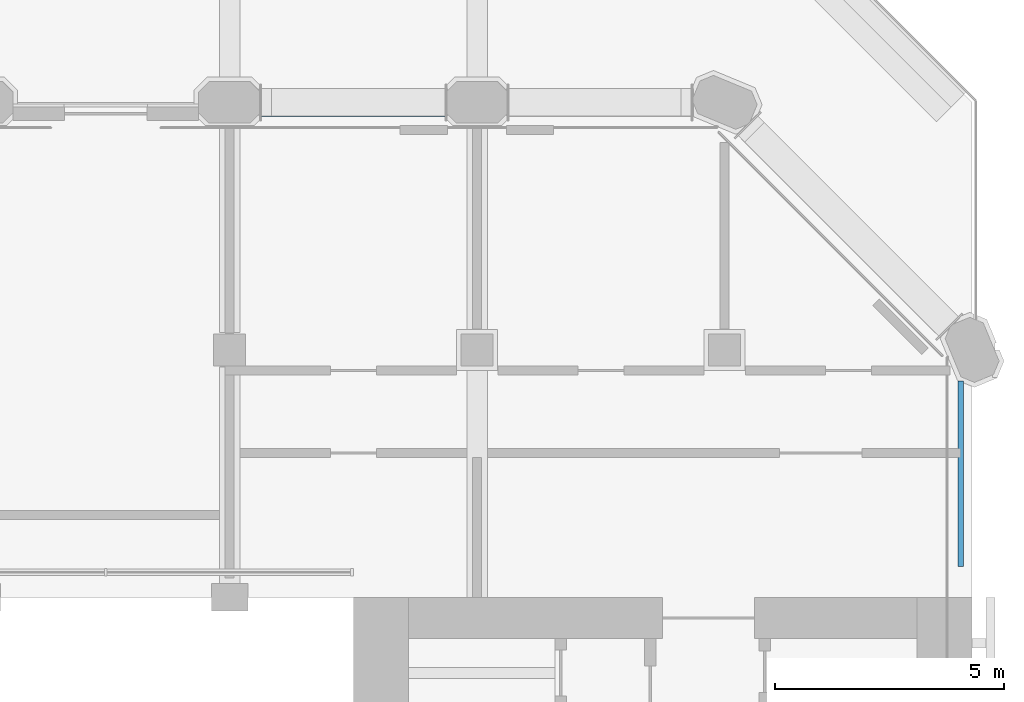
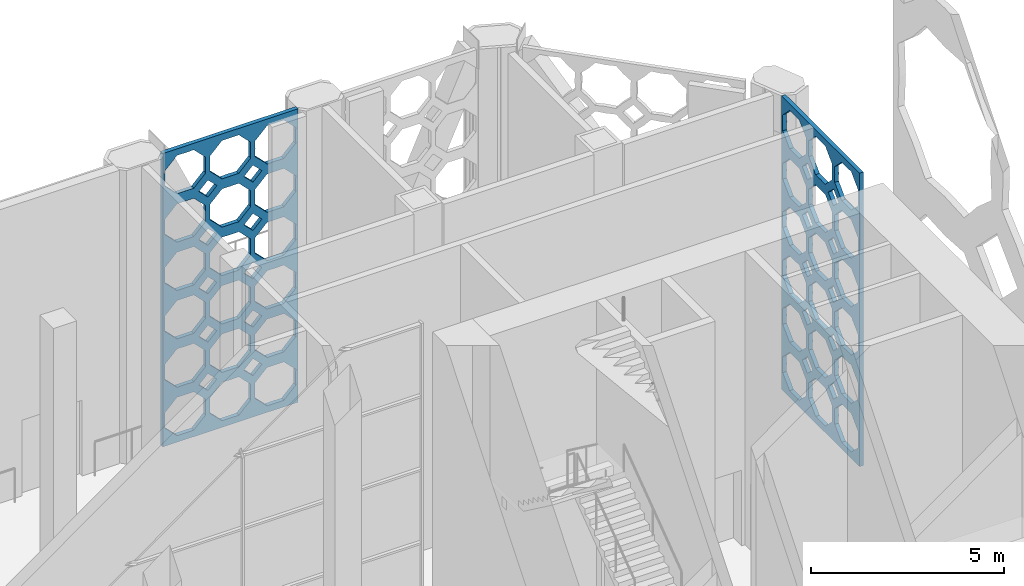
# One storey, part 8 of 28: 2 plates.
"""IFC4 building model written with IfcOpenShell, lengths in metres."""

from ifc_helpers import new_model, si_unit, direction, frame, origin, place, context, subcontext, project, spatial, polyline, outline, extrude, material, layer, layer_set, type_object, element, save


model = new_model("IFC4")

# Units and contexts
model_context = context("Model", 3, precision=1e-05, world=origin(), true_north=direction((0.0, 1.0)))
body_context = subcontext(model_context, "Body", "Model", "MODEL_VIEW")
ifc_project = project(units=[si_unit("LENGTHUNIT", "METRE"), si_unit("AREAUNIT", "SQUARE_METRE"), si_unit("VOLUMEUNIT", "CUBIC_METRE"), si_unit("PLANEANGLEUNIT", "RADIAN"), si_unit("MASSUNIT", "GRAM", prefix="KILO")], contexts=[model_context])

# Site, building, storey
site_placement = place(None, origin())
site = spatial("IfcSite", under=ifc_project, at=site_placement, CompositionType="ELEMENT")
building_placement = place(site_placement, origin())
building = spatial("IfcBuilding", under=site, at=building_placement, Name="Tabaq Tower and Sports Hall", CompositionType="ELEMENT")
storey_placement = place(building_placement, frame((0.0, 0.0, 233.5)))
storey = spatial("IfcBuildingStorey", under=building, at=storey_placement, Name="L59", CompositionType="ELEMENT", Elevation=233.5)

# Plates
ifc_material = material(Name="White precast concrete C60/75 pierced screen", Category="concrete")
ifc_layer = layer(ifc_material, 0.1201171875)
ifc_layer_set = layer_set([ifc_layer], Name="White precast concrete C60/75 screen 120")
plate_type = type_object("IfcPlateType", Name="White precast concrete C60/75 screen 120", PredefinedType="USERDEFINED", material=ifc_layer_set)
plate_1_placement = place(storey_placement, frame((42.949951171875, 33.074951171875, 0.0), z_axis=(0.0, 0.0, 1.0), x_axis=(0.0, 1.0, 0.0)))
element("IfcPlate", 1, at=plate_1_placement, inside=storey, type_object=plate_type, Name="Pierced screen L59 E", ObjectType="SCREEN", PredefinedType="USERDEFINED", context=body_context, shape_type="SweptSolid", body=[
    extrude(outline(polyline([(0.0, 0.0), (4.050048828125, 0.0), (4.050048828125, 9.300048828125), (0.0, 9.300048828125), (0.0, 0.0)]), holes=[polyline([(1.28369140625, 1.06884765625), (1.103515625, 1.245361328125), (0.927001953125, 1.42529296875), (0.675048828125, 1.4228515625), (0.4228515625, 1.42529296875), (0.246337890625, 1.245361328125), (0.06640625, 1.06884765625), (0.06884765625, 0.816650390625), (0.06640625, 0.564453125), (0.246337890625, 0.38818359375), (0.4228515625, 0.2080078125), (0.675048828125, 0.21044921875), (0.927001953125, 0.2080078125), (1.103515625, 0.38818359375), (1.28369140625, 0.564453125), (1.281005859375, 0.816650390625), (1.28369140625, 1.06884765625)]), polyline([(1.28369140625, 2.60205078125), (1.103515625, 2.778564453125), (0.927001953125, 2.958740234375), (0.675048828125, 2.9560546875), (0.4228515625, 2.958740234375), (0.246337890625, 2.778564453125), (0.06640625, 2.60205078125), (0.06884765625, 2.35009765625), (0.06640625, 2.097900390625), (0.246337890625, 1.92138671875), (0.4228515625, 1.741455078125), (0.675048828125, 1.743896484375), (0.927001953125, 1.741455078125), (1.103515625, 1.92138671875), (1.28369140625, 2.097900390625), (1.281005859375, 2.35009765625), (1.28369140625, 2.60205078125)]), polyline([(1.28369140625, 4.135498046875), (1.103515625, 4.31201171875), (0.927001953125, 4.491943359375), (0.675048828125, 4.489501953125), (0.4228515625, 4.491943359375), (0.246337890625, 4.31201171875), (0.06640625, 4.135498046875), (0.06884765625, 3.88330078125), (0.06640625, 3.631103515625), (0.246337890625, 3.454833984375), (0.4228515625, 3.274658203125), (0.675048828125, 3.27734375), (0.927001953125, 3.274658203125), (1.103515625, 3.454833984375), (1.28369140625, 3.631103515625), (1.281005859375, 3.88330078125), (1.28369140625, 4.135498046875)]), polyline([(1.28369140625, 5.668701171875), (1.103515625, 5.84521484375), (0.927001953125, 6.025390625), (0.675048828125, 6.022705078125), (0.4228515625, 6.025390625), (0.246337890625, 5.84521484375), (0.06640625, 5.668701171875), (0.06884765625, 5.416748046875), (0.06640625, 5.16455078125), (0.246337890625, 4.988037109375), (0.4228515625, 4.80810546875), (0.675048828125, 4.810546875), (0.927001953125, 4.80810546875), (1.103515625, 4.988037109375), (1.28369140625, 5.16455078125), (1.281005859375, 5.416748046875), (1.28369140625, 5.668701171875)]), polyline([(1.28369140625, 7.2021484375), (1.103515625, 7.378662109375), (0.927001953125, 7.55859375), (0.675048828125, 7.55615234375), (0.4228515625, 7.55859375), (0.246337890625, 7.378662109375), (0.06640625, 7.2021484375), (0.06884765625, 6.949951171875), (0.06640625, 6.697998046875), (0.246337890625, 6.521484375), (0.4228515625, 6.34130859375), (0.675048828125, 6.343994140625), (0.927001953125, 6.34130859375), (1.103515625, 6.521484375), (1.28369140625, 6.697998046875), (1.281005859375, 6.949951171875), (1.28369140625, 7.2021484375)]), polyline([(1.28369140625, 8.7353515625), (1.103515625, 8.911865234375), (0.927001953125, 9.092041015625), (0.675048828125, 9.08935546875), (0.4228515625, 9.092041015625), (0.246337890625, 8.911865234375), (0.06640625, 8.7353515625), (0.06884765625, 8.4833984375), (0.06640625, 8.231201171875), (0.246337890625, 8.0546875), (0.4228515625, 7.874755859375), (0.675048828125, 7.877197265625), (0.927001953125, 7.874755859375), (1.103515625, 8.0546875), (1.28369140625, 8.231201171875), (1.281005859375, 8.4833984375), (1.28369140625, 8.7353515625)]), polyline([(2.633544921875, 1.06884765625), (2.45361328125, 1.245361328125), (2.277099609375, 1.42529296875), (2.02490234375, 1.4228515625), (1.77294921875, 1.42529296875), (1.596435546875, 1.245361328125), (1.416259765625, 1.06884765625), (1.4189453125, 0.816650390625), (1.416259765625, 0.564453125), (1.596435546875, 0.38818359375), (1.77294921875, 0.2080078125), (2.02490234375, 0.21044921875), (2.277099609375, 0.2080078125), (2.45361328125, 0.38818359375), (2.633544921875, 0.564453125), (2.631103515625, 0.816650390625), (2.633544921875, 1.06884765625)]), polyline([(2.633544921875, 2.60205078125), (2.45361328125, 2.778564453125), (2.277099609375, 2.958740234375), (2.02490234375, 2.9560546875), (1.77294921875, 2.958740234375), (1.596435546875, 2.778564453125), (1.416259765625, 2.60205078125), (1.4189453125, 2.35009765625), (1.416259765625, 2.097900390625), (1.596435546875, 1.92138671875), (1.77294921875, 1.741455078125), (2.02490234375, 1.743896484375), (2.277099609375, 1.741455078125), (2.45361328125, 1.92138671875), (2.633544921875, 2.097900390625), (2.631103515625, 2.35009765625), (2.633544921875, 2.60205078125)]), polyline([(2.633544921875, 4.135498046875), (2.45361328125, 4.31201171875), (2.277099609375, 4.491943359375), (2.02490234375, 4.489501953125), (1.77294921875, 4.491943359375), (1.596435546875, 4.31201171875), (1.416259765625, 4.135498046875), (1.4189453125, 3.88330078125), (1.416259765625, 3.631103515625), (1.596435546875, 3.454833984375), (1.77294921875, 3.274658203125), (2.02490234375, 3.27734375), (2.277099609375, 3.274658203125), (2.45361328125, 3.454833984375), (2.633544921875, 3.631103515625), (2.631103515625, 3.88330078125), (2.633544921875, 4.135498046875)]), polyline([(2.633544921875, 5.668701171875), (2.45361328125, 5.84521484375), (2.277099609375, 6.025390625), (2.02490234375, 6.022705078125), (1.77294921875, 6.025390625), (1.596435546875, 5.84521484375), (1.416259765625, 5.668701171875), (1.4189453125, 5.416748046875), (1.416259765625, 5.16455078125), (1.596435546875, 4.988037109375), (1.77294921875, 4.80810546875), (2.02490234375, 4.810546875), (2.277099609375, 4.80810546875), (2.45361328125, 4.988037109375), (2.633544921875, 5.16455078125), (2.631103515625, 5.416748046875), (2.633544921875, 5.668701171875)]), polyline([(2.633544921875, 7.2021484375), (2.45361328125, 7.378662109375), (2.277099609375, 7.55859375), (2.02490234375, 7.55615234375), (1.77294921875, 7.55859375), (1.596435546875, 7.378662109375), (1.416259765625, 7.2021484375), (1.4189453125, 6.949951171875), (1.416259765625, 6.697998046875), (1.596435546875, 6.521484375), (1.77294921875, 6.34130859375), (2.02490234375, 6.343994140625), (2.277099609375, 6.34130859375), (2.45361328125, 6.521484375), (2.633544921875, 6.697998046875), (2.631103515625, 6.949951171875), (2.633544921875, 7.2021484375)]), polyline([(2.633544921875, 8.7353515625), (2.45361328125, 8.911865234375), (2.277099609375, 9.092041015625), (2.02490234375, 9.08935546875), (1.77294921875, 9.092041015625), (1.596435546875, 8.911865234375), (1.416259765625, 8.7353515625), (1.4189453125, 8.4833984375), (1.416259765625, 8.231201171875), (1.596435546875, 8.0546875), (1.77294921875, 7.874755859375), (2.02490234375, 7.877197265625), (2.277099609375, 7.874755859375), (2.45361328125, 8.0546875), (2.633544921875, 8.231201171875), (2.631103515625, 8.4833984375), (2.633544921875, 8.7353515625)]), polyline([(3.983642578125, 1.06884765625), (3.803466796875, 1.245361328125), (3.627197265625, 1.42529296875), (3.375, 1.4228515625), (3.122802734375, 1.42529296875), (2.946533203125, 1.245361328125), (2.766357421875, 1.06884765625), (2.768798828125, 0.816650390625), (2.766357421875, 0.564453125), (2.946533203125, 0.38818359375), (3.122802734375, 0.2080078125), (3.375, 0.21044921875), (3.627197265625, 0.2080078125), (3.803466796875, 0.38818359375), (3.983642578125, 0.564453125), (3.981201171875, 0.816650390625), (3.983642578125, 1.06884765625)]), polyline([(3.983642578125, 2.60205078125), (3.803466796875, 2.778564453125), (3.627197265625, 2.958740234375), (3.375, 2.9560546875), (3.122802734375, 2.958740234375), (2.946533203125, 2.778564453125), (2.766357421875, 2.60205078125), (2.768798828125, 2.35009765625), (2.766357421875, 2.097900390625), (2.946533203125, 1.92138671875), (3.122802734375, 1.741455078125), (3.375, 1.743896484375), (3.627197265625, 1.741455078125), (3.803466796875, 1.92138671875), (3.983642578125, 2.097900390625), (3.981201171875, 2.35009765625), (3.983642578125, 2.60205078125)]), polyline([(3.983642578125, 4.135498046875), (3.803466796875, 4.31201171875), (3.627197265625, 4.491943359375), (3.375, 4.489501953125), (3.122802734375, 4.491943359375), (2.946533203125, 4.31201171875), (2.766357421875, 4.135498046875), (2.768798828125, 3.88330078125), (2.766357421875, 3.631103515625), (2.946533203125, 3.454833984375), (3.122802734375, 3.274658203125), (3.375, 3.27734375), (3.627197265625, 3.274658203125), (3.803466796875, 3.454833984375), (3.983642578125, 3.631103515625), (3.981201171875, 3.88330078125), (3.983642578125, 4.135498046875)]), polyline([(3.983642578125, 5.668701171875), (3.803466796875, 5.84521484375), (3.627197265625, 6.025390625), (3.375, 6.022705078125), (3.122802734375, 6.025390625), (2.946533203125, 5.84521484375), (2.766357421875, 5.668701171875), (2.768798828125, 5.416748046875), (2.766357421875, 5.16455078125), (2.946533203125, 4.988037109375), (3.122802734375, 4.80810546875), (3.375, 4.810546875), (3.627197265625, 4.80810546875), (3.803466796875, 4.988037109375), (3.983642578125, 5.16455078125), (3.981201171875, 5.416748046875), (3.983642578125, 5.668701171875)]), polyline([(3.983642578125, 7.2021484375), (3.803466796875, 7.378662109375), (3.627197265625, 7.55859375), (3.375, 7.55615234375), (3.122802734375, 7.55859375), (2.946533203125, 7.378662109375), (2.766357421875, 7.2021484375), (2.768798828125, 6.949951171875), (2.766357421875, 6.697998046875), (2.946533203125, 6.521484375), (3.122802734375, 6.34130859375), (3.375, 6.343994140625), (3.627197265625, 6.34130859375), (3.803466796875, 6.521484375), (3.983642578125, 6.697998046875), (3.981201171875, 6.949951171875), (3.983642578125, 7.2021484375)]), polyline([(3.983642578125, 8.7353515625), (3.803466796875, 8.911865234375), (3.627197265625, 9.092041015625), (3.375, 9.08935546875), (3.122802734375, 9.092041015625), (2.946533203125, 8.911865234375), (2.766357421875, 8.7353515625), (2.768798828125, 8.4833984375), (2.766357421875, 8.231201171875), (2.946533203125, 8.0546875), (3.122802734375, 7.874755859375), (3.375, 7.877197265625), (3.627197265625, 7.874755859375), (3.803466796875, 8.0546875), (3.983642578125, 8.231201171875), (3.981201171875, 8.4833984375), (3.983642578125, 8.7353515625)]), polyline([(1.6201171875, 1.583251953125), (1.35009765625, 1.853271484375), (1.080078125, 1.583251953125), (1.35009765625, 1.313232421875), (1.6201171875, 1.583251953125)]), polyline([(1.6201171875, 3.11669921875), (1.35009765625, 3.38671875), (1.080078125, 3.11669921875), (1.35009765625, 2.8466796875), (1.6201171875, 3.11669921875)]), polyline([(1.6201171875, 4.64990234375), (1.35009765625, 4.919921875), (1.080078125, 4.64990234375), (1.35009765625, 4.3798828125), (1.6201171875, 4.64990234375)]), polyline([(1.6201171875, 6.183349609375), (1.35009765625, 6.453369140625), (1.080078125, 6.183349609375), (1.35009765625, 5.913330078125), (1.6201171875, 6.183349609375)]), polyline([(1.6201171875, 7.716552734375), (1.35009765625, 7.986572265625), (1.080078125, 7.716552734375), (1.35009765625, 7.44677734375), (1.6201171875, 7.716552734375)]), polyline([(2.969970703125, 1.583251953125), (2.699951171875, 1.853271484375), (2.429931640625, 1.583251953125), (2.699951171875, 1.313232421875), (2.969970703125, 1.583251953125)]), polyline([(2.969970703125, 3.11669921875), (2.699951171875, 3.38671875), (2.429931640625, 3.11669921875), (2.699951171875, 2.8466796875), (2.969970703125, 3.11669921875)]), polyline([(2.969970703125, 4.64990234375), (2.699951171875, 4.919921875), (2.429931640625, 4.64990234375), (2.699951171875, 4.3798828125), (2.969970703125, 4.64990234375)]), polyline([(2.969970703125, 6.183349609375), (2.699951171875, 6.453369140625), (2.429931640625, 6.183349609375), (2.699951171875, 5.913330078125), (2.969970703125, 6.183349609375)]), polyline([(2.969970703125, 7.716552734375), (2.699951171875, 7.986572265625), (2.429931640625, 7.716552734375), (2.699951171875, 7.44677734375), (2.969970703125, 7.716552734375)])]), frame((0.0, 0.06005859375, 0.0), z_axis=(0.0, -1.0, 0.0), x_axis=(1.0, 0.0, 0.0)), (0.0, 0.0, 1.0), 0.1201171875),
])
plate_2_placement = place(storey_placement, frame((31.72509765625, 42.949951171875, 0.0), z_axis=(0.0, 0.0, 1.0), x_axis=(-1.0, 0.0, 0.0)))
element("IfcPlate", 2, at=plate_2_placement, inside=storey, type_object=plate_type, Name="Pierced screen L59 N", ObjectType="SCREEN", PredefinedType="USERDEFINED", context=body_context, shape_type="SweptSolid", body=[
    extrude(outline(polyline([(0.0, 0.0), (4.050048828125, 0.0), (4.050048828125, 9.300048828125), (0.0, 9.300048828125), (0.0, 0.0)]), holes=[polyline([(1.28369140625, 1.06884765625), (1.103515625, 1.245361328125), (0.927001953125, 1.42529296875), (0.675048828125, 1.4228515625), (0.4228515625, 1.42529296875), (0.246337890625, 1.245361328125), (0.06640625, 1.06884765625), (0.06884765625, 0.816650390625), (0.06640625, 0.564453125), (0.246337890625, 0.38818359375), (0.4228515625, 0.2080078125), (0.675048828125, 0.21044921875), (0.927001953125, 0.2080078125), (1.103515625, 0.38818359375), (1.28369140625, 0.564453125), (1.281005859375, 0.816650390625), (1.28369140625, 1.06884765625)]), polyline([(1.28369140625, 2.60205078125), (1.103515625, 2.778564453125), (0.927001953125, 2.958740234375), (0.675048828125, 2.9560546875), (0.4228515625, 2.958740234375), (0.246337890625, 2.778564453125), (0.06640625, 2.60205078125), (0.06884765625, 2.35009765625), (0.06640625, 2.097900390625), (0.246337890625, 1.92138671875), (0.4228515625, 1.741455078125), (0.675048828125, 1.743896484375), (0.927001953125, 1.741455078125), (1.103515625, 1.92138671875), (1.28369140625, 2.097900390625), (1.281005859375, 2.35009765625), (1.28369140625, 2.60205078125)]), polyline([(1.28369140625, 4.135498046875), (1.103515625, 4.31201171875), (0.927001953125, 4.491943359375), (0.675048828125, 4.489501953125), (0.4228515625, 4.491943359375), (0.246337890625, 4.31201171875), (0.06640625, 4.135498046875), (0.06884765625, 3.88330078125), (0.06640625, 3.631103515625), (0.246337890625, 3.454833984375), (0.4228515625, 3.274658203125), (0.675048828125, 3.27734375), (0.927001953125, 3.274658203125), (1.103515625, 3.454833984375), (1.28369140625, 3.631103515625), (1.281005859375, 3.88330078125), (1.28369140625, 4.135498046875)]), polyline([(1.28369140625, 5.668701171875), (1.103515625, 5.84521484375), (0.927001953125, 6.025390625), (0.675048828125, 6.022705078125), (0.4228515625, 6.025390625), (0.246337890625, 5.84521484375), (0.06640625, 5.668701171875), (0.06884765625, 5.416748046875), (0.06640625, 5.16455078125), (0.246337890625, 4.988037109375), (0.4228515625, 4.80810546875), (0.675048828125, 4.810546875), (0.927001953125, 4.80810546875), (1.103515625, 4.988037109375), (1.28369140625, 5.16455078125), (1.281005859375, 5.416748046875), (1.28369140625, 5.668701171875)]), polyline([(1.28369140625, 7.2021484375), (1.103515625, 7.378662109375), (0.927001953125, 7.55859375), (0.675048828125, 7.55615234375), (0.4228515625, 7.55859375), (0.246337890625, 7.378662109375), (0.06640625, 7.2021484375), (0.06884765625, 6.949951171875), (0.06640625, 6.697998046875), (0.246337890625, 6.521484375), (0.4228515625, 6.34130859375), (0.675048828125, 6.343994140625), (0.927001953125, 6.34130859375), (1.103515625, 6.521484375), (1.28369140625, 6.697998046875), (1.281005859375, 6.949951171875), (1.28369140625, 7.2021484375)]), polyline([(1.28369140625, 8.7353515625), (1.103515625, 8.911865234375), (0.927001953125, 9.092041015625), (0.675048828125, 9.08935546875), (0.4228515625, 9.092041015625), (0.246337890625, 8.911865234375), (0.06640625, 8.7353515625), (0.06884765625, 8.4833984375), (0.06640625, 8.231201171875), (0.246337890625, 8.0546875), (0.4228515625, 7.874755859375), (0.675048828125, 7.877197265625), (0.927001953125, 7.874755859375), (1.103515625, 8.0546875), (1.28369140625, 8.231201171875), (1.281005859375, 8.4833984375), (1.28369140625, 8.7353515625)]), polyline([(2.633544921875, 1.06884765625), (2.45361328125, 1.245361328125), (2.277099609375, 1.42529296875), (2.02490234375, 1.4228515625), (1.77294921875, 1.42529296875), (1.596435546875, 1.245361328125), (1.416259765625, 1.06884765625), (1.4189453125, 0.816650390625), (1.416259765625, 0.564453125), (1.596435546875, 0.38818359375), (1.77294921875, 0.2080078125), (2.02490234375, 0.21044921875), (2.277099609375, 0.2080078125), (2.45361328125, 0.38818359375), (2.633544921875, 0.564453125), (2.631103515625, 0.816650390625), (2.633544921875, 1.06884765625)]), polyline([(2.633544921875, 2.60205078125), (2.45361328125, 2.778564453125), (2.277099609375, 2.958740234375), (2.02490234375, 2.9560546875), (1.77294921875, 2.958740234375), (1.596435546875, 2.778564453125), (1.416259765625, 2.60205078125), (1.4189453125, 2.35009765625), (1.416259765625, 2.097900390625), (1.596435546875, 1.92138671875), (1.77294921875, 1.741455078125), (2.02490234375, 1.743896484375), (2.277099609375, 1.741455078125), (2.45361328125, 1.92138671875), (2.633544921875, 2.097900390625), (2.631103515625, 2.35009765625), (2.633544921875, 2.60205078125)]), polyline([(2.633544921875, 4.135498046875), (2.45361328125, 4.31201171875), (2.277099609375, 4.491943359375), (2.02490234375, 4.489501953125), (1.77294921875, 4.491943359375), (1.596435546875, 4.31201171875), (1.416259765625, 4.135498046875), (1.4189453125, 3.88330078125), (1.416259765625, 3.631103515625), (1.596435546875, 3.454833984375), (1.77294921875, 3.274658203125), (2.02490234375, 3.27734375), (2.277099609375, 3.274658203125), (2.45361328125, 3.454833984375), (2.633544921875, 3.631103515625), (2.631103515625, 3.88330078125), (2.633544921875, 4.135498046875)]), polyline([(2.633544921875, 5.668701171875), (2.45361328125, 5.84521484375), (2.277099609375, 6.025390625), (2.02490234375, 6.022705078125), (1.77294921875, 6.025390625), (1.596435546875, 5.84521484375), (1.416259765625, 5.668701171875), (1.4189453125, 5.416748046875), (1.416259765625, 5.16455078125), (1.596435546875, 4.988037109375), (1.77294921875, 4.80810546875), (2.02490234375, 4.810546875), (2.277099609375, 4.80810546875), (2.45361328125, 4.988037109375), (2.633544921875, 5.16455078125), (2.631103515625, 5.416748046875), (2.633544921875, 5.668701171875)]), polyline([(2.633544921875, 7.2021484375), (2.45361328125, 7.378662109375), (2.277099609375, 7.55859375), (2.02490234375, 7.55615234375), (1.77294921875, 7.55859375), (1.596435546875, 7.378662109375), (1.416259765625, 7.2021484375), (1.4189453125, 6.949951171875), (1.416259765625, 6.697998046875), (1.596435546875, 6.521484375), (1.77294921875, 6.34130859375), (2.02490234375, 6.343994140625), (2.277099609375, 6.34130859375), (2.45361328125, 6.521484375), (2.633544921875, 6.697998046875), (2.631103515625, 6.949951171875), (2.633544921875, 7.2021484375)]), polyline([(2.633544921875, 8.7353515625), (2.45361328125, 8.911865234375), (2.277099609375, 9.092041015625), (2.02490234375, 9.08935546875), (1.77294921875, 9.092041015625), (1.596435546875, 8.911865234375), (1.416259765625, 8.7353515625), (1.4189453125, 8.4833984375), (1.416259765625, 8.231201171875), (1.596435546875, 8.0546875), (1.77294921875, 7.874755859375), (2.02490234375, 7.877197265625), (2.277099609375, 7.874755859375), (2.45361328125, 8.0546875), (2.633544921875, 8.231201171875), (2.631103515625, 8.4833984375), (2.633544921875, 8.7353515625)]), polyline([(3.983642578125, 1.06884765625), (3.803466796875, 1.245361328125), (3.627197265625, 1.42529296875), (3.375, 1.4228515625), (3.122802734375, 1.42529296875), (2.946533203125, 1.245361328125), (2.766357421875, 1.06884765625), (2.768798828125, 0.816650390625), (2.766357421875, 0.564453125), (2.946533203125, 0.38818359375), (3.122802734375, 0.2080078125), (3.375, 0.21044921875), (3.627197265625, 0.2080078125), (3.803466796875, 0.38818359375), (3.983642578125, 0.564453125), (3.981201171875, 0.816650390625), (3.983642578125, 1.06884765625)]), polyline([(3.983642578125, 2.60205078125), (3.803466796875, 2.778564453125), (3.627197265625, 2.958740234375), (3.375, 2.9560546875), (3.122802734375, 2.958740234375), (2.946533203125, 2.778564453125), (2.766357421875, 2.60205078125), (2.768798828125, 2.35009765625), (2.766357421875, 2.097900390625), (2.946533203125, 1.92138671875), (3.122802734375, 1.741455078125), (3.375, 1.743896484375), (3.627197265625, 1.741455078125), (3.803466796875, 1.92138671875), (3.983642578125, 2.097900390625), (3.981201171875, 2.35009765625), (3.983642578125, 2.60205078125)]), polyline([(3.983642578125, 4.135498046875), (3.803466796875, 4.31201171875), (3.627197265625, 4.491943359375), (3.375, 4.489501953125), (3.122802734375, 4.491943359375), (2.946533203125, 4.31201171875), (2.766357421875, 4.135498046875), (2.768798828125, 3.88330078125), (2.766357421875, 3.631103515625), (2.946533203125, 3.454833984375), (3.122802734375, 3.274658203125), (3.375, 3.27734375), (3.627197265625, 3.274658203125), (3.803466796875, 3.454833984375), (3.983642578125, 3.631103515625), (3.981201171875, 3.88330078125), (3.983642578125, 4.135498046875)]), polyline([(3.983642578125, 5.668701171875), (3.803466796875, 5.84521484375), (3.627197265625, 6.025390625), (3.375, 6.022705078125), (3.122802734375, 6.025390625), (2.946533203125, 5.84521484375), (2.766357421875, 5.668701171875), (2.768798828125, 5.416748046875), (2.766357421875, 5.16455078125), (2.946533203125, 4.988037109375), (3.122802734375, 4.80810546875), (3.375, 4.810546875), (3.627197265625, 4.80810546875), (3.803466796875, 4.988037109375), (3.983642578125, 5.16455078125), (3.981201171875, 5.416748046875), (3.983642578125, 5.668701171875)]), polyline([(3.983642578125, 7.2021484375), (3.803466796875, 7.378662109375), (3.627197265625, 7.55859375), (3.375, 7.55615234375), (3.122802734375, 7.55859375), (2.946533203125, 7.378662109375), (2.766357421875, 7.2021484375), (2.768798828125, 6.949951171875), (2.766357421875, 6.697998046875), (2.946533203125, 6.521484375), (3.122802734375, 6.34130859375), (3.375, 6.343994140625), (3.627197265625, 6.34130859375), (3.803466796875, 6.521484375), (3.983642578125, 6.697998046875), (3.981201171875, 6.949951171875), (3.983642578125, 7.2021484375)]), polyline([(3.983642578125, 8.7353515625), (3.803466796875, 8.911865234375), (3.627197265625, 9.092041015625), (3.375, 9.08935546875), (3.122802734375, 9.092041015625), (2.946533203125, 8.911865234375), (2.766357421875, 8.7353515625), (2.768798828125, 8.4833984375), (2.766357421875, 8.231201171875), (2.946533203125, 8.0546875), (3.122802734375, 7.874755859375), (3.375, 7.877197265625), (3.627197265625, 7.874755859375), (3.803466796875, 8.0546875), (3.983642578125, 8.231201171875), (3.981201171875, 8.4833984375), (3.983642578125, 8.7353515625)]), polyline([(1.6201171875, 1.583251953125), (1.35009765625, 1.853271484375), (1.080078125, 1.583251953125), (1.35009765625, 1.313232421875), (1.6201171875, 1.583251953125)]), polyline([(1.6201171875, 3.11669921875), (1.35009765625, 3.38671875), (1.080078125, 3.11669921875), (1.35009765625, 2.8466796875), (1.6201171875, 3.11669921875)]), polyline([(1.6201171875, 4.64990234375), (1.35009765625, 4.919921875), (1.080078125, 4.64990234375), (1.35009765625, 4.3798828125), (1.6201171875, 4.64990234375)]), polyline([(1.6201171875, 6.183349609375), (1.35009765625, 6.453369140625), (1.080078125, 6.183349609375), (1.35009765625, 5.913330078125), (1.6201171875, 6.183349609375)]), polyline([(1.6201171875, 7.716552734375), (1.35009765625, 7.986572265625), (1.080078125, 7.716552734375), (1.35009765625, 7.44677734375), (1.6201171875, 7.716552734375)]), polyline([(2.969970703125, 1.583251953125), (2.699951171875, 1.853271484375), (2.429931640625, 1.583251953125), (2.699951171875, 1.313232421875), (2.969970703125, 1.583251953125)]), polyline([(2.969970703125, 3.11669921875), (2.699951171875, 3.38671875), (2.429931640625, 3.11669921875), (2.699951171875, 2.8466796875), (2.969970703125, 3.11669921875)]), polyline([(2.969970703125, 4.64990234375), (2.699951171875, 4.919921875), (2.429931640625, 4.64990234375), (2.699951171875, 4.3798828125), (2.969970703125, 4.64990234375)]), polyline([(2.969970703125, 6.183349609375), (2.699951171875, 6.453369140625), (2.429931640625, 6.183349609375), (2.699951171875, 5.913330078125), (2.969970703125, 6.183349609375)]), polyline([(2.969970703125, 7.716552734375), (2.699951171875, 7.986572265625), (2.429931640625, 7.716552734375), (2.699951171875, 7.44677734375), (2.969970703125, 7.716552734375)])]), frame((0.0, 0.06005859375, 0.0), z_axis=(0.0, -1.0, 0.0), x_axis=(1.0, 0.0, 0.0)), (0.0, 0.0, 1.0), 0.1201171875),
])

save(model, "model.ifc")
